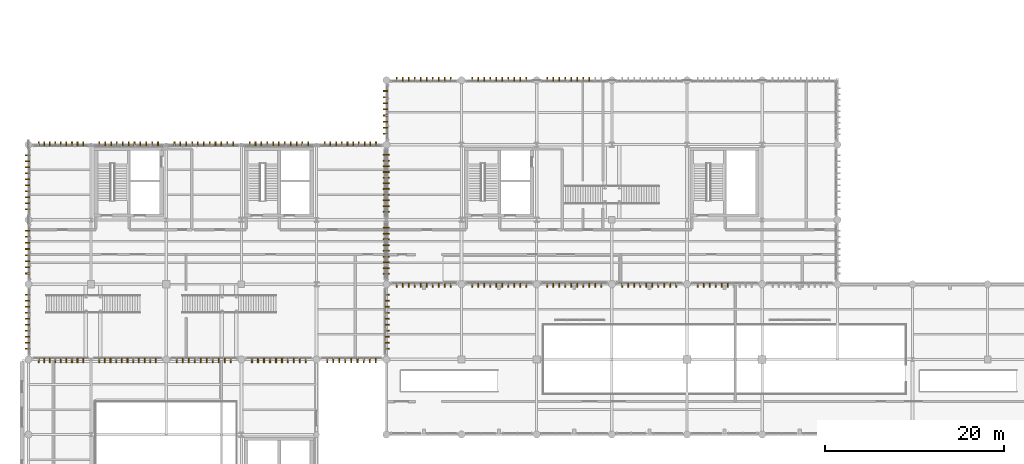
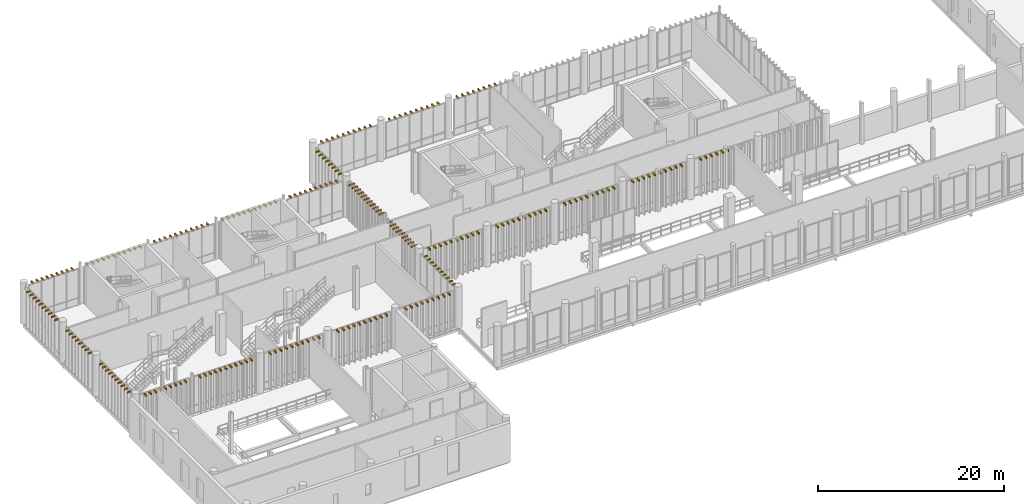
# One storey, part 126 of 128: 261 shading devices.
"""IFC4 building model written with IfcOpenShell, lengths in metres."""

from ifc_helpers import new_model, si_unit, direction, frame, origin_with_axes, origin_2d_with_axis, place, context, subcontext, project, spatial, rectangle, extrude, material, type_object, element, save


model = new_model("IFC4")

# Units and contexts
model_context = context("Model", 3, precision=1e-05, world=origin_with_axes(), true_north=direction((0.0, 1.0)))
body_context = subcontext(model_context, "Body", "Model", "MODEL_VIEW")
ifc_project = project(units=[si_unit("LENGTHUNIT", "METRE"), si_unit("AREAUNIT", "SQUARE_METRE"), si_unit("VOLUMEUNIT", "CUBIC_METRE"), si_unit("PLANEANGLEUNIT", "RADIAN"), si_unit("MASSUNIT", "GRAM", prefix="KILO"), si_unit("THERMODYNAMICTEMPERATUREUNIT", "KELVIN")], contexts=[model_context])

# Site, building, storey
site_placement = place(None, origin_with_axes())
site = spatial("IfcSite", under=ifc_project, at=site_placement, CompositionType="ELEMENT")
building_placement = place(site_placement, origin_with_axes())
building = spatial("IfcBuilding", under=site, at=building_placement, Name="Montbau Bow Law Courts", CompositionType="ELEMENT")
storey_placement = place(building_placement, frame((0.0, 0.0, 5.4), z_axis=(0.0, 0.0, 1.0), x_axis=(1.0, 0.0, 0.0)))
storey = spatial("IfcBuildingStorey", under=building, at=storey_placement, Name="L01", CompositionType="ELEMENT", Elevation=5.4)

# Shading devices
ifc_material_1 = material(Name="Freeze-Thaw Glazed Cream Ceramic Vertical Louvre", Category="masonry")
shading_device_type_1 = type_object("IfcShadingDeviceType", Name="SH-LVR-CRM", PredefinedType="USERDEFINED", material=ifc_material_1)
for number, where, z_axis, x_axis, name in (
    (1, (47.985, 38.89, 10.04), (0.0, 0.0, 1.0), (0.0, -1.0, 0.0), "LVR-L01-1241:shd_1241"),
    (2, (48.655, 38.89, 10.04), (0.0, 0.0, 1.0), (0.0, -1.0, 0.0), "LVR-L01-1242:shd_1242"),
    (3, (49.325, 38.89, 10.04), (0.0, 0.0, 1.0), (0.0, -1.0, 0.0), "LVR-L01-1243:shd_1243"),
    (4, (49.995, 38.89, 10.04), (0.0, 0.0, 1.0), (0.0, -1.0, 0.0), "LVR-L01-1244:shd_1244"),
    (5, (50.665, 38.89, 10.04), (0.0, 0.0, 1.0), (0.0, -1.0, 0.0), "LVR-L01-1245:shd_1245"),
    (6, (51.335, 38.89, 10.04), (0.0, 0.0, 1.0), (0.0, -1.0, 0.0), "LVR-L01-1246:shd_1246"),
    (7, (52.005, 38.89, 10.04), (0.0, 0.0, 1.0), (0.0, -1.0, 0.0), "LVR-L01-1247:shd_1247"),
    (8, (52.675, 38.89, 10.04), (0.0, 0.0, 1.0), (0.0, -1.0, 0.0), "LVR-L01-1248:shd_1248"),
    (9, (53.345, 38.89, 10.04), (0.0, 0.0, 1.0), (0.0, -1.0, 0.0), "LVR-L01-1249:shd_1249"),
    (10, (54.015, 38.89, 10.04), (0.0, 0.0, 1.0), (0.0, -1.0, 0.0), "LVR-L01-1250:shd_1250"),
    (11, (56.385, 38.89, 10.04), (0.0, 0.0, 1.0), (0.0, -1.0, 0.0), "LVR-L01-1251:shd_1251"),
    (12, (57.055, 38.89, 10.04), (0.0, 0.0, 1.0), (0.0, -1.0, 0.0), "LVR-L01-1252:shd_1252"),
    (13, (57.725, 38.89, 10.04), (0.0, 0.0, 1.0), (0.0, -1.0, 0.0), "LVR-L01-1253:shd_1253"),
    (14, (58.395, 38.89, 10.04), (0.0, 0.0, 1.0), (0.0, -1.0, 0.0), "LVR-L01-1254:shd_1254"),
    (15, (59.065, 38.89, 10.04), (0.0, 0.0, 1.0), (0.0, -1.0, 0.0), "LVR-L01-1255:shd_1255"),
    (16, (59.735, 38.89, 10.04), (0.0, 0.0, 1.0), (0.0, -1.0, 0.0), "LVR-L01-1256:shd_1256"),
    (17, (60.405, 38.89, 10.04), (0.0, 0.0, 1.0), (0.0, -1.0, 0.0), "LVR-L01-1257:shd_1257"),
    (18, (61.075, 38.89, 10.04), (0.0, 0.0, 1.0), (0.0, -1.0, 0.0), "LVR-L01-1258:shd_1258"),
    (19, (61.745, 38.89, 10.04), (0.0, 0.0, 1.0), (0.0, -1.0, 0.0), "LVR-L01-1259:shd_1259"),
    (20, (62.415, 38.89, 10.04), (0.0, 0.0, 1.0), (0.0, -1.0, 0.0), "LVR-L01-1260:shd_1260"),
    (21, (64.785, 38.89, 10.04), (0.0, 0.0, 1.0), (0.0, -1.0, 0.0), "LVR-L01-1261:shd_1261"),
    (22, (65.455, 38.89, 10.04), (0.0, 0.0, 1.0), (0.0, -1.0, 0.0), "LVR-L01-1262:shd_1262"),
    (23, (66.125, 38.89, 10.04), (0.0, 0.0, 1.0), (0.0, -1.0, 0.0), "LVR-L01-1263:shd_1263"),
    (24, (66.795, 38.89, 10.04), (0.0, 0.0, 1.0), (0.0, -1.0, 0.0), "LVR-L01-1264:shd_1264"),
    (25, (67.465, 38.89, 10.04), (0.0, 0.0, 1.0), (0.0, -1.0, 0.0), "LVR-L01-1265:shd_1265"),
    (26, (68.135, 38.89, 10.04), (0.0, 0.0, 1.0), (0.0, -1.0, 0.0), "LVR-L01-1266:shd_1266"),
    (27, (68.805, 38.89, 10.04), (0.0, 0.0, 1.0), (0.0, -1.0, 0.0), "LVR-L01-1267:shd_1267"),
    (28, (69.475, 38.89, 10.04), (0.0, 0.0, 1.0), (0.0, -1.0, 0.0), "LVR-L01-1268:shd_1268"),
    (29, (70.145, 38.89, 10.04), (0.0, 0.0, 1.0), (0.0, -1.0, 0.0), "LVR-L01-1269:shd_1269"),
    (30, (70.815, 38.89, 10.04), (0.0, 0.0, 1.0), (0.0, -1.0, 0.0), "LVR-L01-1270:shd_1270"),
    (31, (73.185, 38.89, 10.04), (0.0, 0.0, 1.0), (0.0, -1.0, 0.0), "LVR-L01-1271:shd_1271"),
    (32, (73.855, 38.89, 10.04), (0.0, 0.0, 1.0), (0.0, -1.0, 0.0), "LVR-L01-1272:shd_1272"),
    (33, (74.525, 38.89, 10.04), (0.0, 0.0, 1.0), (0.0, -1.0, 0.0), "LVR-L01-1273:shd_1273"),
    (34, (75.195, 38.89, 10.04), (0.0, 0.0, 1.0), (0.0, -1.0, 0.0), "LVR-L01-1274:shd_1274"),
    (35, (75.865, 38.89, 10.04), (0.0, 0.0, 1.0), (0.0, -1.0, 0.0), "LVR-L01-1275:shd_1275"),
    (36, (76.535, 38.89, 10.04), (0.0, 0.0, 1.0), (0.0, -1.0, 0.0), "LVR-L01-1276:shd_1276"),
    (37, (77.205, 38.89, 10.04), (0.0, 0.0, 1.0), (0.0, -1.0, 0.0), "LVR-L01-1277:shd_1277"),
    (38, (77.875, 38.89, 10.04), (0.0, 0.0, 1.0), (0.0, -1.0, 0.0), "LVR-L01-1278:shd_1278"),
    (39, (78.545, 38.89, 10.04), (0.0, 0.0, 1.0), (0.0, -1.0, 0.0), "LVR-L01-1279:shd_1279"),
    (40, (79.215, 38.89, 10.04), (0.0, 0.0, 1.0), (0.0, -1.0, 0.0), "LVR-L01-1280:shd_1280"),
    (41, (81.585, 38.89, 10.04), (0.0, 0.0, 1.0), (0.0, -1.0, 0.0), "LVR-L01-1281:shd_1281"),
    (42, (82.255, 38.89, 10.04), (0.0, 0.0, 1.0), (0.0, -1.0, 0.0), "LVR-L01-1282:shd_1282"),
    (43, (82.925, 38.89, 10.04), (0.0, 0.0, 1.0), (0.0, -1.0, 0.0), "LVR-L01-1283:shd_1283"),
    (44, (83.595, 38.89, 10.04), (0.0, 0.0, 1.0), (0.0, -1.0, 0.0), "LVR-L01-1284:shd_1284"),
    (45, (84.265, 38.89, 10.04), (0.0, 0.0, 1.0), (0.0, -1.0, 0.0), "LVR-L01-1285:shd_1285"),
    (46, (84.935, 38.89, 10.04), (0.0, 0.0, 1.0), (0.0, -1.0, 0.0), "LVR-L01-1286:shd_1286"),
    (47, (47.985, 61.91, 10.04), (0.0, 0.0, 1.0), (0.0, 1.0, 0.0), "LVR-L01-1301:shd_1301"),
    (48, (48.655, 61.91, 10.04), (0.0, 0.0, 1.0), (0.0, 1.0, 0.0), "LVR-L01-1302:shd_1302"),
    (49, (49.325, 61.91, 10.04), (0.0, 0.0, 1.0), (0.0, 1.0, 0.0), "LVR-L01-1303:shd_1303"),
    (50, (49.995, 61.91, 10.04), (0.0, 0.0, 1.0), (0.0, 1.0, 0.0), "LVR-L01-1304:shd_1304"),
    (51, (50.665, 61.91, 10.04), (0.0, 0.0, 1.0), (0.0, 1.0, 0.0), "LVR-L01-1305:shd_1305"),
    (52, (51.335, 61.91, 10.04), (0.0, 0.0, 1.0), (0.0, 1.0, 0.0), "LVR-L01-1306:shd_1306"),
    (53, (52.005, 61.91, 10.04), (0.0, 0.0, 1.0), (0.0, 1.0, 0.0), "LVR-L01-1307:shd_1307"),
    (54, (52.675, 61.91, 10.04), (0.0, 0.0, 1.0), (0.0, 1.0, 0.0), "LVR-L01-1308:shd_1308"),
    (55, (53.345, 61.91, 10.04), (0.0, 0.0, 1.0), (0.0, 1.0, 0.0), "LVR-L01-1309:shd_1309"),
    (56, (54.015, 61.91, 10.04), (0.0, 0.0, 1.0), (0.0, 1.0, 0.0), "LVR-L01-1310:shd_1310"),
    (57, (56.385, 61.91, 10.04), (0.0, 0.0, 1.0), (0.0, 1.0, 0.0), "LVR-L01-1311:shd_1311"),
    (58, (57.055, 61.91, 10.04), (0.0, 0.0, 1.0), (0.0, 1.0, 0.0), "LVR-L01-1312:shd_1312"),
    (59, (57.725, 61.91, 10.04), (0.0, 0.0, 1.0), (0.0, 1.0, 0.0), "LVR-L01-1313:shd_1313"),
    (60, (58.395, 61.91, 10.04), (0.0, 0.0, 1.0), (0.0, 1.0, 0.0), "LVR-L01-1314:shd_1314"),
    (61, (59.065, 61.91, 10.04), (0.0, 0.0, 1.0), (0.0, 1.0, 0.0), "LVR-L01-1315:shd_1315"),
    (62, (59.735, 61.91, 10.04), (0.0, 0.0, 1.0), (0.0, 1.0, 0.0), "LVR-L01-1316:shd_1316"),
    (63, (60.405, 61.91, 10.04), (0.0, 0.0, 1.0), (0.0, 1.0, 0.0), "LVR-L01-1317:shd_1317"),
    (64, (61.075, 61.91, 10.04), (0.0, 0.0, 1.0), (0.0, 1.0, 0.0), "LVR-L01-1318:shd_1318"),
    (65, (61.745, 61.91, 10.04), (0.0, 0.0, 1.0), (0.0, 1.0, 0.0), "LVR-L01-1319:shd_1319"),
    (66, (62.415, 61.91, 10.04), (0.0, 0.0, 1.0), (0.0, 1.0, 0.0), "LVR-L01-1320:shd_1320"),
    (67, (64.785, 61.91, 10.04), (0.0, 0.0, 1.0), (0.0, 1.0, 0.0), "LVR-L01-1321:shd_1321"),
    (68, (65.455, 61.91, 10.04), (0.0, 0.0, 1.0), (0.0, 1.0, 0.0), "LVR-L01-1322:shd_1322"),
    (69, (66.125, 61.91, 10.04), (0.0, 0.0, 1.0), (0.0, 1.0, 0.0), "LVR-L01-1323:shd_1323"),
    (70, (66.795, 61.91, 10.04), (0.0, 0.0, 1.0), (0.0, 1.0, 0.0), "LVR-L01-1324:shd_1324"),
    (71, (67.465, 61.91, 10.04), (0.0, 0.0, 1.0), (0.0, 1.0, 0.0), "LVR-L01-1325:shd_1325"),
    (72, (68.135, 61.91, 10.04), (0.0, 0.0, 1.0), (0.0, 1.0, 0.0), "LVR-L01-1326:shd_1326"),
    (73, (68.805, 61.91, 10.04), (0.0, 0.0, 1.0), (0.0, 1.0, 0.0), "LVR-L01-1327:shd_1327"),
    (74, (69.475, 61.91, 10.04), (0.0, 0.0, 1.0), (0.0, 1.0, 0.0), "LVR-L01-1328:shd_1328"),
    (75, (46.69, 40.157, 10.04), (0.0, 0.0, 1.0), (-1.0, 0.0, 0.0), "LVR-L01-1362:shd_1362"),
    (76, (46.69, 40.798, 10.04), (0.0, 0.0, 1.0), (-1.0, 0.0, 0.0), "LVR-L01-1363:shd_1363"),
    (77, (46.69, 41.44, 10.04), (0.0, 0.0, 1.0), (-1.0, 0.0, 0.0), "LVR-L01-1364:shd_1364"),
    (78, (46.69, 42.082, 10.04), (0.0, 0.0, 1.0), (-1.0, 0.0, 0.0), "LVR-L01-1365:shd_1365"),
    (79, (46.69, 42.724, 10.04), (0.0, 0.0, 1.0), (-1.0, 0.0, 0.0), "LVR-L01-1366:shd_1366"),
    (80, (46.69, 43.365, 10.04), (0.0, 0.0, 1.0), (-1.0, 0.0, 0.0), "LVR-L01-1367:shd_1367"),
    (81, (46.69, 44.007, 10.04), (0.0, 0.0, 1.0), (-1.0, 0.0, 0.0), "LVR-L01-1368:shd_1368"),
    (82, (46.69, 44.649, 10.04), (0.0, 0.0, 1.0), (-1.0, 0.0, 0.0), "LVR-L01-1369:shd_1369"),
    (83, (46.69, 45.29, 10.04), (0.0, 0.0, 1.0), (-1.0, 0.0, 0.0), "LVR-L01-1370:shd_1370"),
    (84, (46.69, 47.103, 10.04), (0.0, 0.0, 1.0), (-1.0, 0.0, 0.0), "LVR-L01-1371:shd_1371"),
    (85, (46.69, 47.737, 10.04), (0.0, 0.0, 1.0), (-1.0, 0.0, 0.0), "LVR-L01-1372:shd_1372"),
    (86, (46.69, 48.372, 10.04), (0.0, 0.0, 1.0), (-1.0, 0.0, 0.0), "LVR-L01-1373:shd_1373"),
    (87, (46.69, 49.007, 10.04), (0.0, 0.0, 1.0), (-1.0, 0.0, 0.0), "LVR-L01-1374:shd_1374"),
    (88, (46.69, 49.642, 10.04), (0.0, 0.0, 1.0), (-1.0, 0.0, 0.0), "LVR-L01-1375:shd_1375"),
    (89, (46.69, 50.276, 10.04), (0.0, 0.0, 1.0), (-1.0, 0.0, 0.0), "LVR-L01-1376:shd_1376"),
    (90, (46.69, 50.911, 10.04), (0.0, 0.0, 1.0), (-1.0, 0.0, 0.0), "LVR-L01-1377:shd_1377"),
    (91, (46.69, 51.546, 10.04), (0.0, 0.0, 1.0), (-1.0, 0.0, 0.0), "LVR-L01-1378:shd_1378"),
    (92, (46.69, 52.181, 10.04), (0.0, 0.0, 1.0), (-1.0, 0.0, 0.0), "LVR-L01-1379:shd_1379"),
    (93, (46.69, 52.815, 10.04), (0.0, 0.0, 1.0), (-1.0, 0.0, 0.0), "LVR-L01-1380:shd_1380"),
    (94, (46.69, 53.45, 10.04), (0.0, 0.0, 1.0), (-1.0, 0.0, 0.0), "LVR-L01-1381:shd_1381"),
    (95, (46.69, 55.801, 10.04), (0.0, 0.0, 1.0), (-1.0, 0.0, 0.0), "LVR-L01-1382:shd_1382"),
    (96, (46.69, 56.486, 10.04), (0.0, 0.0, 1.0), (-1.0, 0.0, 0.0), "LVR-L01-1383:shd_1383"),
    (97, (46.69, 57.172, 10.04), (0.0, 0.0, 1.0), (-1.0, 0.0, 0.0), "LVR-L01-1384:shd_1384"),
    (98, (46.69, 57.857, 10.04), (0.0, 0.0, 1.0), (-1.0, 0.0, 0.0), "LVR-L01-1385:shd_1385"),
    (99, (46.69, 58.543, 10.04), (0.0, 0.0, 1.0), (-1.0, 0.0, 0.0), "LVR-L01-1386:shd_1386"),
    (100, (46.69, 59.228, 10.04), (0.0, 0.0, 1.0), (-1.0, 0.0, 0.0), "LVR-L01-1387:shd_1387"),
    (101, (46.69, 59.914, 10.04), (0.0, 0.0, 1.0), (-1.0, 0.0, 0.0), "LVR-L01-1388:shd_1388"),
    (102, (46.69, 60.599, 10.04), (0.0, 0.0, 1.0), (-1.0, 0.0, 0.0), "LVR-L01-1389:shd_1389"),
):
    element("IfcShadingDevice", number, at=place(None, frame(where, z_axis=z_axis, x_axis=x_axis)), inside=storey, type_object=shading_device_type_1, Name=name, ObjectType="LOUVRE", PredefinedType="USERDEFINED", context=body_context, shape_type="SweptSolid", body=[
        extrude(rectangle(XDim=0.48, YDim=0.12, at=origin_2d_with_axis()), origin_with_axes(), (0.0, 0.0, 1.0), 0.18),
    ])
ifc_material_2 = material(Name="Freeze-Thaw Glazed Terracotta-Red Ceramic Vertical Louvre", Category="masonry")
shading_device_type_2 = type_object("IfcShadingDeviceType", Name="SH-LVR-RED", PredefinedType="USERDEFINED", material=ifc_material_2)
for number, where, z_axis, x_axis, name in (
    (103, (7.937, 30.49, 10.04), (0.0, 0.0, 1.0), (0.0, -1.0, 0.0), "LVR-L01-0151:shd_0151"),
    (104, (8.559, 30.49, 10.04), (0.0, 0.0, 1.0), (0.0, -1.0, 0.0), "LVR-L01-0152:shd_0152"),
    (105, (9.18, 30.49, 10.04), (0.0, 0.0, 1.0), (0.0, -1.0, 0.0), "LVR-L01-0153:shd_0153"),
    (106, (9.802, 30.49, 10.04), (0.0, 0.0, 1.0), (0.0, -1.0, 0.0), "LVR-L01-0154:shd_0154"),
    (107, (10.424, 30.49, 10.04), (0.0, 0.0, 1.0), (0.0, -1.0, 0.0), "LVR-L01-0155:shd_0155"),
    (108, (11.046, 30.49, 10.04), (0.0, 0.0, 1.0), (0.0, -1.0, 0.0), "LVR-L01-0156:shd_0156"),
    (109, (11.668, 30.49, 10.04), (0.0, 0.0, 1.0), (0.0, -1.0, 0.0), "LVR-L01-0157:shd_0157"),
    (110, (12.289, 30.49, 10.04), (0.0, 0.0, 1.0), (0.0, -1.0, 0.0), "LVR-L01-0158:shd_0158"),
    (111, (12.911, 30.49, 10.04), (0.0, 0.0, 1.0), (0.0, -1.0, 0.0), "LVR-L01-0159:shd_0159"),
    (112, (14.703, 30.49, 10.04), (0.0, 0.0, 1.0), (0.0, -1.0, 0.0), "LVR-L01-0160:shd_0160"),
    (113, (15.337, 30.49, 10.04), (0.0, 0.0, 1.0), (0.0, -1.0, 0.0), "LVR-L01-0161:shd_0161"),
    (114, (15.972, 30.49, 10.04), (0.0, 0.0, 1.0), (0.0, -1.0, 0.0), "LVR-L01-0162:shd_0162"),
    (115, (16.607, 30.49, 10.04), (0.0, 0.0, 1.0), (0.0, -1.0, 0.0), "LVR-L01-0163:shd_0163"),
    (116, (17.242, 30.49, 10.04), (0.0, 0.0, 1.0), (0.0, -1.0, 0.0), "LVR-L01-0164:shd_0164"),
    (117, (17.876, 30.49, 10.04), (0.0, 0.0, 1.0), (0.0, -1.0, 0.0), "LVR-L01-0165:shd_0165"),
    (118, (18.511, 30.49, 10.04), (0.0, 0.0, 1.0), (0.0, -1.0, 0.0), "LVR-L01-0166:shd_0166"),
    (119, (19.146, 30.49, 10.04), (0.0, 0.0, 1.0), (0.0, -1.0, 0.0), "LVR-L01-0167:shd_0167"),
    (120, (19.781, 30.49, 10.04), (0.0, 0.0, 1.0), (0.0, -1.0, 0.0), "LVR-L01-0168:shd_0168"),
    (121, (20.415, 30.49, 10.04), (0.0, 0.0, 1.0), (0.0, -1.0, 0.0), "LVR-L01-0169:shd_0169"),
    (122, (21.05, 30.49, 10.04), (0.0, 0.0, 1.0), (0.0, -1.0, 0.0), "LVR-L01-0170:shd_0170"),
    (123, (23.385, 30.49, 10.04), (0.0, 0.0, 1.0), (0.0, -1.0, 0.0), "LVR-L01-0171:shd_0171"),
    (124, (24.055, 30.49, 10.04), (0.0, 0.0, 1.0), (0.0, -1.0, 0.0), "LVR-L01-0172:shd_0172"),
    (125, (24.725, 30.49, 10.04), (0.0, 0.0, 1.0), (0.0, -1.0, 0.0), "LVR-L01-0173:shd_0173"),
    (126, (25.395, 30.49, 10.04), (0.0, 0.0, 1.0), (0.0, -1.0, 0.0), "LVR-L01-0174:shd_0174"),
    (127, (26.065, 30.49, 10.04), (0.0, 0.0, 1.0), (0.0, -1.0, 0.0), "LVR-L01-0175:shd_0175"),
    (128, (26.735, 30.49, 10.04), (0.0, 0.0, 1.0), (0.0, -1.0, 0.0), "LVR-L01-0176:shd_0176"),
    (129, (27.405, 30.49, 10.04), (0.0, 0.0, 1.0), (0.0, -1.0, 0.0), "LVR-L01-0177:shd_0177"),
    (130, (28.075, 30.49, 10.04), (0.0, 0.0, 1.0), (0.0, -1.0, 0.0), "LVR-L01-0178:shd_0178"),
    (131, (28.745, 30.49, 10.04), (0.0, 0.0, 1.0), (0.0, -1.0, 0.0), "LVR-L01-0179:shd_0179"),
    (132, (29.415, 30.49, 10.04), (0.0, 0.0, 1.0), (0.0, -1.0, 0.0), "LVR-L01-0180:shd_0180"),
    (133, (31.785, 30.49, 10.04), (0.0, 0.0, 1.0), (0.0, -1.0, 0.0), "LVR-L01-0181:shd_0181"),
    (134, (32.455, 30.49, 10.04), (0.0, 0.0, 1.0), (0.0, -1.0, 0.0), "LVR-L01-0182:shd_0182"),
    (135, (33.125, 30.49, 10.04), (0.0, 0.0, 1.0), (0.0, -1.0, 0.0), "LVR-L01-0183:shd_0183"),
    (136, (33.795, 30.49, 10.04), (0.0, 0.0, 1.0), (0.0, -1.0, 0.0), "LVR-L01-0184:shd_0184"),
    (137, (34.465, 30.49, 10.04), (0.0, 0.0, 1.0), (0.0, -1.0, 0.0), "LVR-L01-0185:shd_0185"),
    (138, (35.135, 30.49, 10.04), (0.0, 0.0, 1.0), (0.0, -1.0, 0.0), "LVR-L01-0186:shd_0186"),
    (139, (35.805, 30.49, 10.04), (0.0, 0.0, 1.0), (0.0, -1.0, 0.0), "LVR-L01-0187:shd_0187"),
    (140, (36.475, 30.49, 10.04), (0.0, 0.0, 1.0), (0.0, -1.0, 0.0), "LVR-L01-0188:shd_0188"),
    (141, (37.145, 30.49, 10.04), (0.0, 0.0, 1.0), (0.0, -1.0, 0.0), "LVR-L01-0189:shd_0189"),
    (142, (37.815, 30.49, 10.04), (0.0, 0.0, 1.0), (0.0, -1.0, 0.0), "LVR-L01-0190:shd_0190"),
    (143, (40.192, 30.49, 10.04), (0.0, 0.0, 1.0), (0.0, -1.0, 0.0), "LVR-L01-0191:shd_0191"),
    (144, (40.869, 30.49, 10.04), (0.0, 0.0, 1.0), (0.0, -1.0, 0.0), "LVR-L01-0192:shd_0192"),
    (145, (41.546, 30.49, 10.04), (0.0, 0.0, 1.0), (0.0, -1.0, 0.0), "LVR-L01-0193:shd_0193"),
    (146, (42.223, 30.49, 10.04), (0.0, 0.0, 1.0), (0.0, -1.0, 0.0), "LVR-L01-0194:shd_0194"),
    (147, (42.9, 30.49, 10.04), (0.0, 0.0, 1.0), (0.0, -1.0, 0.0), "LVR-L01-0195:shd_0195"),
    (148, (43.577, 30.49, 10.04), (0.0, 0.0, 1.0), (0.0, -1.0, 0.0), "LVR-L01-0196:shd_0196"),
    (149, (44.254, 30.49, 10.04), (0.0, 0.0, 1.0), (0.0, -1.0, 0.0), "LVR-L01-0197:shd_0197"),
    (150, (44.931, 30.49, 10.04), (0.0, 0.0, 1.0), (0.0, -1.0, 0.0), "LVR-L01-0198:shd_0198"),
    (151, (45.608, 30.49, 10.04), (0.0, 0.0, 1.0), (0.0, -1.0, 0.0), "LVR-L01-0199:shd_0199"),
    (152, (7.937, 54.71, 10.04), (0.0, 0.0, 1.0), (0.0, 1.0, 0.0), "LVR-L01-0200:shd_0200"),
    (153, (8.559, 54.71, 10.04), (0.0, 0.0, 1.0), (0.0, 1.0, 0.0), "LVR-L01-0201:shd_0201"),
    (154, (9.18, 54.71, 10.04), (0.0, 0.0, 1.0), (0.0, 1.0, 0.0), "LVR-L01-0202:shd_0202"),
    (155, (9.802, 54.71, 10.04), (0.0, 0.0, 1.0), (0.0, 1.0, 0.0), "LVR-L01-0203:shd_0203"),
    (156, (10.424, 54.71, 10.04), (0.0, 0.0, 1.0), (0.0, 1.0, 0.0), "LVR-L01-0204:shd_0204"),
    (157, (11.046, 54.71, 10.04), (0.0, 0.0, 1.0), (0.0, 1.0, 0.0), "LVR-L01-0205:shd_0205"),
    (158, (11.668, 54.71, 10.04), (0.0, 0.0, 1.0), (0.0, 1.0, 0.0), "LVR-L01-0206:shd_0206"),
    (159, (12.289, 54.71, 10.04), (0.0, 0.0, 1.0), (0.0, 1.0, 0.0), "LVR-L01-0207:shd_0207"),
    (160, (12.911, 54.71, 10.04), (0.0, 0.0, 1.0), (0.0, 1.0, 0.0), "LVR-L01-0208:shd_0208"),
    (161, (14.723, 54.71, 10.04), (0.0, 0.0, 1.0), (0.0, 1.0, 0.0), "LVR-L01-0209:shd_0209"),
    (162, (15.379, 54.71, 10.04), (0.0, 0.0, 1.0), (0.0, 1.0, 0.0), "LVR-L01-0210:shd_0210"),
    (163, (16.034, 54.71, 10.04), (0.0, 0.0, 1.0), (0.0, 1.0, 0.0), "LVR-L01-0211:shd_0211"),
    (164, (16.69, 54.71, 10.04), (0.0, 0.0, 1.0), (0.0, 1.0, 0.0), "LVR-L01-0212:shd_0212"),
    (165, (17.345, 54.71, 10.04), (0.0, 0.0, 1.0), (0.0, 1.0, 0.0), "LVR-L01-0213:shd_0213"),
    (166, (18.001, 54.71, 10.04), (0.0, 0.0, 1.0), (0.0, 1.0, 0.0), "LVR-L01-0214:shd_0214"),
    (167, (18.656, 54.71, 10.04), (0.0, 0.0, 1.0), (0.0, 1.0, 0.0), "LVR-L01-0215:shd_0215"),
    (168, (19.311, 54.71, 10.04), (0.0, 0.0, 1.0), (0.0, 1.0, 0.0), "LVR-L01-0216:shd_0216"),
    (169, (19.967, 54.71, 10.04), (0.0, 0.0, 1.0), (0.0, 1.0, 0.0), "LVR-L01-0217:shd_0217"),
    (170, (20.622, 54.71, 10.04), (0.0, 0.0, 1.0), (0.0, 1.0, 0.0), "LVR-L01-0218:shd_0218"),
    (171, (21.278, 54.71, 10.04), (0.0, 0.0, 1.0), (0.0, 1.0, 0.0), "LVR-L01-0219:shd_0219"),
    (172, (23.122, 54.71, 10.04), (0.0, 0.0, 1.0), (0.0, 1.0, 0.0), "LVR-L01-0220:shd_0220"),
    (173, (23.778, 54.71, 10.04), (0.0, 0.0, 1.0), (0.0, 1.0, 0.0), "LVR-L01-0221:shd_0221"),
    (174, (24.433, 54.71, 10.04), (0.0, 0.0, 1.0), (0.0, 1.0, 0.0), "LVR-L01-0222:shd_0222"),
    (175, (25.089, 54.71, 10.04), (0.0, 0.0, 1.0), (0.0, 1.0, 0.0), "LVR-L01-0223:shd_0223"),
    (176, (25.744, 54.71, 10.04), (0.0, 0.0, 1.0), (0.0, 1.0, 0.0), "LVR-L01-0224:shd_0224"),
    (177, (26.4, 54.71, 10.04), (0.0, 0.0, 1.0), (0.0, 1.0, 0.0), "LVR-L01-0225:shd_0225"),
    (178, (27.055, 54.71, 10.04), (0.0, 0.0, 1.0), (0.0, 1.0, 0.0), "LVR-L01-0226:shd_0226"),
    (179, (27.711, 54.71, 10.04), (0.0, 0.0, 1.0), (0.0, 1.0, 0.0), "LVR-L01-0227:shd_0227"),
    (180, (28.366, 54.71, 10.04), (0.0, 0.0, 1.0), (0.0, 1.0, 0.0), "LVR-L01-0228:shd_0228"),
    (181, (29.022, 54.71, 10.04), (0.0, 0.0, 1.0), (0.0, 1.0, 0.0), "LVR-L01-0229:shd_0229"),
    (182, (29.677, 54.71, 10.04), (0.0, 0.0, 1.0), (0.0, 1.0, 0.0), "LVR-L01-0230:shd_0230"),
    (183, (31.522, 54.71, 10.04), (0.0, 0.0, 1.0), (0.0, 1.0, 0.0), "LVR-L01-0231:shd_0231"),
    (184, (32.178, 54.71, 10.04), (0.0, 0.0, 1.0), (0.0, 1.0, 0.0), "LVR-L01-0232:shd_0232"),
    (185, (32.833, 54.71, 10.04), (0.0, 0.0, 1.0), (0.0, 1.0, 0.0), "LVR-L01-0233:shd_0233"),
    (186, (33.489, 54.71, 10.04), (0.0, 0.0, 1.0), (0.0, 1.0, 0.0), "LVR-L01-0234:shd_0234"),
    (187, (34.144, 54.71, 10.04), (0.0, 0.0, 1.0), (0.0, 1.0, 0.0), "LVR-L01-0235:shd_0235"),
    (188, (34.799, 54.71, 10.04), (0.0, 0.0, 1.0), (0.0, 1.0, 0.0), "LVR-L01-0236:shd_0236"),
    (189, (35.455, 54.71, 10.04), (0.0, 0.0, 1.0), (0.0, 1.0, 0.0), "LVR-L01-0237:shd_0237"),
    (190, (36.11, 54.71, 10.04), (0.0, 0.0, 1.0), (0.0, 1.0, 0.0), "LVR-L01-0238:shd_0238"),
    (191, (36.766, 54.71, 10.04), (0.0, 0.0, 1.0), (0.0, 1.0, 0.0), "LVR-L01-0239:shd_0239"),
    (192, (37.421, 54.71, 10.04), (0.0, 0.0, 1.0), (0.0, 1.0, 0.0), "LVR-L01-0240:shd_0240"),
    (193, (38.077, 54.71, 10.04), (0.0, 0.0, 1.0), (0.0, 1.0, 0.0), "LVR-L01-0241:shd_0241"),
    (194, (39.906, 54.71, 10.04), (0.0, 0.0, 1.0), (0.0, 1.0, 0.0), "LVR-L01-0242:shd_0242"),
    (195, (40.544, 54.71, 10.04), (0.0, 0.0, 1.0), (0.0, 1.0, 0.0), "LVR-L01-0243:shd_0243"),
    (196, (41.182, 54.71, 10.04), (0.0, 0.0, 1.0), (0.0, 1.0, 0.0), "LVR-L01-0244:shd_0244"),
    (197, (41.82, 54.71, 10.04), (0.0, 0.0, 1.0), (0.0, 1.0, 0.0), "LVR-L01-0245:shd_0245"),
    (198, (42.458, 54.71, 10.04), (0.0, 0.0, 1.0), (0.0, 1.0, 0.0), "LVR-L01-0246:shd_0246"),
    (199, (43.095, 54.71, 10.04), (0.0, 0.0, 1.0), (0.0, 1.0, 0.0), "LVR-L01-0247:shd_0247"),
    (200, (43.733, 54.71, 10.04), (0.0, 0.0, 1.0), (0.0, 1.0, 0.0), "LVR-L01-0248:shd_0248"),
    (201, (44.371, 54.71, 10.04), (0.0, 0.0, 1.0), (0.0, 1.0, 0.0), "LVR-L01-0249:shd_0249"),
    (202, (45.009, 54.71, 10.04), (0.0, 0.0, 1.0), (0.0, 1.0, 0.0), "LVR-L01-0250:shd_0250"),
    (203, (45.647, 54.71, 10.04), (0.0, 0.0, 1.0), (0.0, 1.0, 0.0), "LVR-L01-0251:shd_0251"),
    (204, (6.69, 31.785, 10.04), (0.0, 0.0, 1.0), (-1.0, 0.0, 0.0), "LVR-L01-0252:shd_0252"),
    (205, (6.69, 32.455, 10.04), (0.0, 0.0, 1.0), (-1.0, 0.0, 0.0), "LVR-L01-0253:shd_0253"),
    (206, (6.69, 33.125, 10.04), (0.0, 0.0, 1.0), (-1.0, 0.0, 0.0), "LVR-L01-0254:shd_0254"),
    (207, (6.69, 33.795, 10.04), (0.0, 0.0, 1.0), (-1.0, 0.0, 0.0), "LVR-L01-0255:shd_0255"),
    (208, (6.69, 34.465, 10.04), (0.0, 0.0, 1.0), (-1.0, 0.0, 0.0), "LVR-L01-0256:shd_0256"),
    (209, (6.69, 35.135, 10.04), (0.0, 0.0, 1.0), (-1.0, 0.0, 0.0), "LVR-L01-0257:shd_0257"),
    (210, (6.69, 35.805, 10.04), (0.0, 0.0, 1.0), (-1.0, 0.0, 0.0), "LVR-L01-0258:shd_0258"),
    (211, (6.69, 36.475, 10.04), (0.0, 0.0, 1.0), (-1.0, 0.0, 0.0), "LVR-L01-0259:shd_0259"),
    (212, (6.69, 37.145, 10.04), (0.0, 0.0, 1.0), (-1.0, 0.0, 0.0), "LVR-L01-0260:shd_0260"),
    (213, (6.69, 37.815, 10.04), (0.0, 0.0, 1.0), (-1.0, 0.0, 0.0), "LVR-L01-0261:shd_0261"),
    (214, (6.69, 40.201, 10.04), (0.0, 0.0, 1.0), (-1.0, 0.0, 0.0), "LVR-L01-0262:shd_0262"),
    (215, (6.69, 40.886, 10.04), (0.0, 0.0, 1.0), (-1.0, 0.0, 0.0), "LVR-L01-0263:shd_0263"),
    (216, (6.69, 41.572, 10.04), (0.0, 0.0, 1.0), (-1.0, 0.0, 0.0), "LVR-L01-0264:shd_0264"),
    (217, (6.69, 42.257, 10.04), (0.0, 0.0, 1.0), (-1.0, 0.0, 0.0), "LVR-L01-0265:shd_0265"),
    (218, (6.69, 42.943, 10.04), (0.0, 0.0, 1.0), (-1.0, 0.0, 0.0), "LVR-L01-0266:shd_0266"),
    (219, (6.69, 43.628, 10.04), (0.0, 0.0, 1.0), (-1.0, 0.0, 0.0), "LVR-L01-0267:shd_0267"),
    (220, (6.69, 44.314, 10.04), (0.0, 0.0, 1.0), (-1.0, 0.0, 0.0), "LVR-L01-0268:shd_0268"),
    (221, (6.69, 44.999, 10.04), (0.0, 0.0, 1.0), (-1.0, 0.0, 0.0), "LVR-L01-0269:shd_0269"),
    (222, (6.69, 47.385, 10.04), (0.0, 0.0, 1.0), (-1.0, 0.0, 0.0), "LVR-L01-0270:shd_0270"),
    (223, (6.69, 48.055, 10.04), (0.0, 0.0, 1.0), (-1.0, 0.0, 0.0), "LVR-L01-0271:shd_0271"),
    (224, (6.69, 48.725, 10.04), (0.0, 0.0, 1.0), (-1.0, 0.0, 0.0), "LVR-L01-0272:shd_0272"),
    (225, (6.69, 49.395, 10.04), (0.0, 0.0, 1.0), (-1.0, 0.0, 0.0), "LVR-L01-0273:shd_0273"),
    (226, (6.69, 50.065, 10.04), (0.0, 0.0, 1.0), (-1.0, 0.0, 0.0), "LVR-L01-0274:shd_0274"),
    (227, (6.69, 50.735, 10.04), (0.0, 0.0, 1.0), (-1.0, 0.0, 0.0), "LVR-L01-0275:shd_0275"),
    (228, (6.69, 51.405, 10.04), (0.0, 0.0, 1.0), (-1.0, 0.0, 0.0), "LVR-L01-0276:shd_0276"),
    (229, (6.69, 52.075, 10.04), (0.0, 0.0, 1.0), (-1.0, 0.0, 0.0), "LVR-L01-0277:shd_0277"),
    (230, (6.69, 52.745, 10.04), (0.0, 0.0, 1.0), (-1.0, 0.0, 0.0), "LVR-L01-0278:shd_0278"),
    (231, (6.69, 53.415, 10.04), (0.0, 0.0, 1.0), (-1.0, 0.0, 0.0), "LVR-L01-0279:shd_0279"),
    (232, (46.91, 31.785, 10.04), (0.0, 0.0, 1.0), (1.0, 0.0, 0.0), "LVR-L01-0280:shd_0280"),
    (233, (46.91, 32.455, 10.04), (0.0, 0.0, 1.0), (1.0, 0.0, 0.0), "LVR-L01-0281:shd_0281"),
    (234, (46.91, 33.125, 10.04), (0.0, 0.0, 1.0), (1.0, 0.0, 0.0), "LVR-L01-0282:shd_0282"),
    (235, (46.91, 33.795, 10.04), (0.0, 0.0, 1.0), (1.0, 0.0, 0.0), "LVR-L01-0283:shd_0283"),
    (236, (46.91, 34.465, 10.04), (0.0, 0.0, 1.0), (1.0, 0.0, 0.0), "LVR-L01-0284:shd_0284"),
    (237, (46.91, 35.135, 10.04), (0.0, 0.0, 1.0), (1.0, 0.0, 0.0), "LVR-L01-0285:shd_0285"),
    (238, (46.91, 35.805, 10.04), (0.0, 0.0, 1.0), (1.0, 0.0, 0.0), "LVR-L01-0286:shd_0286"),
    (239, (46.91, 36.475, 10.04), (0.0, 0.0, 1.0), (1.0, 0.0, 0.0), "LVR-L01-0287:shd_0287"),
    (240, (46.91, 37.145, 10.04), (0.0, 0.0, 1.0), (1.0, 0.0, 0.0), "LVR-L01-0288:shd_0288"),
    (241, (46.91, 37.815, 10.04), (0.0, 0.0, 1.0), (1.0, 0.0, 0.0), "LVR-L01-0289:shd_0289"),
    (242, (46.91, 40.157, 10.04), (0.0, 0.0, 1.0), (1.0, 0.0, 0.0), "LVR-L01-0290:shd_0290"),
    (243, (46.91, 40.798, 10.04), (0.0, 0.0, 1.0), (1.0, 0.0, 0.0), "LVR-L01-0291:shd_0291"),
    (244, (46.91, 41.44, 10.04), (0.0, 0.0, 1.0), (1.0, 0.0, 0.0), "LVR-L01-0292:shd_0292"),
    (245, (46.91, 42.082, 10.04), (0.0, 0.0, 1.0), (1.0, 0.0, 0.0), "LVR-L01-0293:shd_0293"),
    (246, (46.91, 42.724, 10.04), (0.0, 0.0, 1.0), (1.0, 0.0, 0.0), "LVR-L01-0294:shd_0294"),
    (247, (46.91, 43.365, 10.04), (0.0, 0.0, 1.0), (1.0, 0.0, 0.0), "LVR-L01-0295:shd_0295"),
    (248, (46.91, 44.007, 10.04), (0.0, 0.0, 1.0), (1.0, 0.0, 0.0), "LVR-L01-0296:shd_0296"),
    (249, (46.91, 44.649, 10.04), (0.0, 0.0, 1.0), (1.0, 0.0, 0.0), "LVR-L01-0297:shd_0297"),
    (250, (46.91, 45.29, 10.04), (0.0, 0.0, 1.0), (1.0, 0.0, 0.0), "LVR-L01-0298:shd_0298"),
    (251, (46.91, 47.103, 10.04), (0.0, 0.0, 1.0), (1.0, 0.0, 0.0), "LVR-L01-0299:shd_0299"),
    (252, (46.91, 47.737, 10.04), (0.0, 0.0, 1.0), (1.0, 0.0, 0.0), "LVR-L01-0300:shd_0300"),
    (253, (46.91, 48.372, 10.04), (0.0, 0.0, 1.0), (1.0, 0.0, 0.0), "LVR-L01-0301:shd_0301"),
    (254, (46.91, 49.007, 10.04), (0.0, 0.0, 1.0), (1.0, 0.0, 0.0), "LVR-L01-0302:shd_0302"),
    (255, (46.91, 49.642, 10.04), (0.0, 0.0, 1.0), (1.0, 0.0, 0.0), "LVR-L01-0303:shd_0303"),
    (256, (46.91, 50.276, 10.04), (0.0, 0.0, 1.0), (1.0, 0.0, 0.0), "LVR-L01-0304:shd_0304"),
    (257, (46.91, 50.911, 10.04), (0.0, 0.0, 1.0), (1.0, 0.0, 0.0), "LVR-L01-0305:shd_0305"),
    (258, (46.91, 51.546, 10.04), (0.0, 0.0, 1.0), (1.0, 0.0, 0.0), "LVR-L01-0306:shd_0306"),
    (259, (46.91, 52.181, 10.04), (0.0, 0.0, 1.0), (1.0, 0.0, 0.0), "LVR-L01-0307:shd_0307"),
    (260, (46.91, 52.815, 10.04), (0.0, 0.0, 1.0), (1.0, 0.0, 0.0), "LVR-L01-0308:shd_0308"),
    (261, (46.91, 53.45, 10.04), (0.0, 0.0, 1.0), (1.0, 0.0, 0.0), "LVR-L01-0309:shd_0309"),
):
    element("IfcShadingDevice", number, at=place(None, frame(where, z_axis=z_axis, x_axis=x_axis)), inside=storey, type_object=shading_device_type_2, Name=name, ObjectType="LOUVRE", PredefinedType="USERDEFINED", context=body_context, shape_type="SweptSolid", body=[
        extrude(rectangle(XDim=0.48, YDim=0.12, at=origin_2d_with_axis()), origin_with_axes(), (0.0, 0.0, 1.0), 0.18),
    ])

save(model, "model.ifc")
